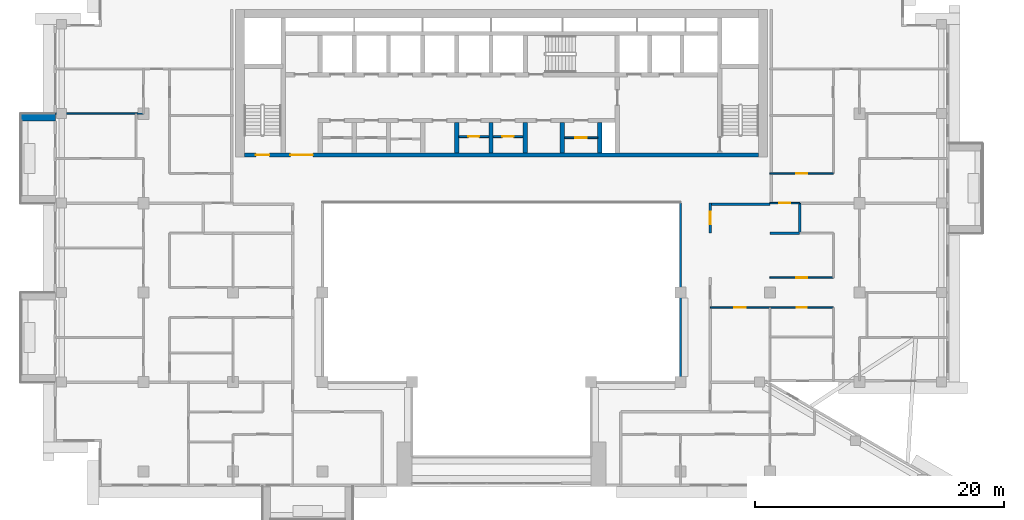
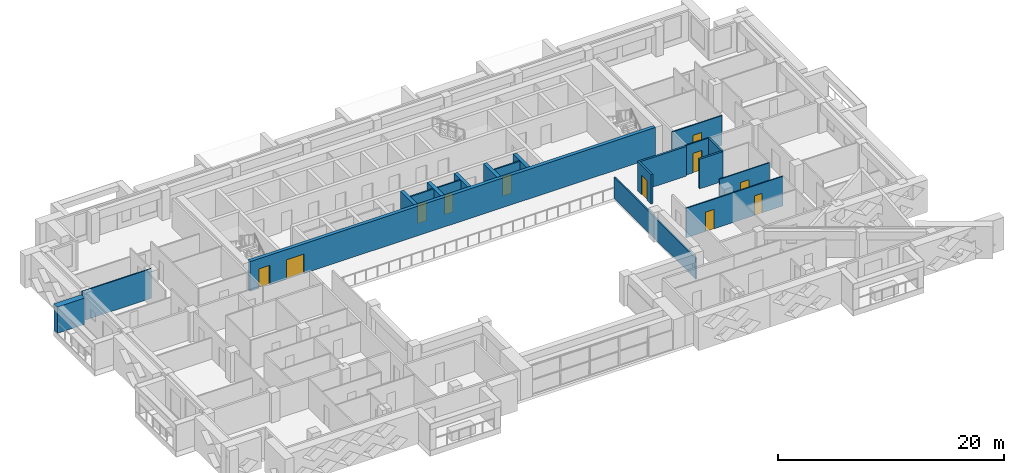
# One storey, part 9 of 20: 20 walls, 11 doors, 11 openings.
"""IFC4 building model written with IfcOpenShell, lengths in metres."""

from ifc_helpers import new_model, si_unit, direction, frame, frame_2d, origin, place, context, subcontext, project, spatial, rectangle, extrude, material, layer, layer_set, type_object, element, fill, save


model = new_model("IFC4")

# Units and contexts
model_context = context("Model", 3, precision=1e-05, world=origin(), true_north=direction((0.0, 1.0)))
body_context = subcontext(model_context, "Body", "Model", "MODEL_VIEW")
ifc_project = project(units=[si_unit("LENGTHUNIT", "METRE"), si_unit("AREAUNIT", "SQUARE_METRE"), si_unit("VOLUMEUNIT", "CUBIC_METRE"), si_unit("PLANEANGLEUNIT", "RADIAN"), si_unit("MASSUNIT", "GRAM", prefix="KILO")], contexts=[model_context])

# Site, building, storey
site_placement = place(None, origin())
site = spatial("IfcSite", under=ifc_project, at=site_placement, CompositionType="ELEMENT")
building_placement = place(site_placement, origin())
building = spatial("IfcBuilding", under=site, at=building_placement, Name="Saffron Iwan Residences", CompositionType="ELEMENT")
storey_placement = place(building_placement, frame((0.0, 0.0, 195.5)))
storey = spatial("IfcBuildingStorey", under=building, at=storey_placement, Name="L52", CompositionType="ELEMENT", Elevation=195.5)

# Walls
ifc_material_1 = material(Name="Fire-rated glazing", Category="glass")
ifc_layer_1 = layer(ifc_material_1, 0.14990234375)
ifc_layer_set_1 = layer_set([ifc_layer_1], Name="Fire-rated glazing")
wall_type_1 = type_object("IfcWallType", Name="Atrium glazed screen 150", PredefinedType="SOLIDWALL", material=ifc_layer_set_1)
wall_1_placement = place(storey_placement, frame((64.800048828125, 48.0, 0.0), z_axis=(0.0, 0.0, 1.0), x_axis=(0.0, 1.0, 0.0)))
element("IfcWall", 1, at=wall_1_placement, inside=storey, type_object=wall_type_1, Name="W-L52-SCREEN-v64.8-48", PredefinedType="SOLIDWALL", context=body_context, shape_type="SweptSolid", body=[
    extrude(rectangle(XDim=14.39990234375, YDim=0.14990234375, at=frame_2d((7.199951171875, 0.0))), origin(), (0.0, 0.0, 1.0), 2.300048828125),
])
ifc_material_2 = material(Name="Concrete C50/60 white painted", Category="concrete")
ifc_layer_2 = layer(ifc_material_2, 0.60009765625)
ifc_layer_set_2 = layer_set([ifc_layer_2], Name="Concrete C50/60 white painted")
wall_type_2 = type_object("IfcWallType", Name="BALCONY FIN 600", PredefinedType="SOLIDWALL", material=ifc_layer_set_2)
wall_2_placement = place(storey_placement, frame((14.5, 69.300048828125, 0.0), z_axis=(0.0, 0.0, 1.0), x_axis=(-1.0, 0.0, 0.0)))
element("IfcWall", 2, at=wall_2_placement, inside=storey, type_object=wall_type_2, Name="Balcony fin L52 F8-0a", PredefinedType="SOLIDWALL", context=body_context, shape_type="SweptSolid", body=[
    extrude(rectangle(XDim=2.800048828125, YDim=0.60009765625, at=frame_2d((1.39990234375, 0.0))), origin(), (0.0, 0.0, 1.0), 2.85009765625),
])

# Wall, opening, door
ifc_material_3 = material(Name="Fire-rated plasterboard partition")
ifc_layer_3 = layer(ifc_material_3, 0.14990234375)
ifc_layer_set_3 = layer_set([ifc_layer_3], Name="Fire-rated plasterboard partition")
wall_type_3 = type_object("IfcWallType", Name="Core partition 150", PredefinedType="PARTITIONING", material=ifc_layer_set_3)
wall_3_placement = place(storey_placement, frame((46.97509765625, 67.759521484375, 0.0), z_axis=(0.0, 0.0, 1.0), x_axis=(1.0, 0.0, 0.0)))
wall_3 = element("IfcWall", 3, at=wall_3_placement, inside=storey, type_object=wall_type_3, Name="Core partition P04", PredefinedType="PARTITIONING", context=body_context, shape_type="SweptSolid", body=[
    extrude(rectangle(XDim=2.39990234375, YDim=0.14990234375, at=frame_2d((1.199951171875, 0.0))), origin(), (0.0, 0.0, 1.0), 3.199951171875),
])
opening_1_placement = place(wall_3_placement, frame((0.75, 0.0, 0.0)))
opening_1 = element("IfcOpeningElement", 4, at=opening_1_placement, cuts=wall_3, Name="Opening SB", PredefinedType="OPENING", context=body_context, shape_type="SweptSolid", body=[
    extrude(rectangle(XDim=0.89990234375, YDim=2.10009765625, at=frame_2d((0.449951171875, 1.050048828125))), frame((0.0, 0.0849609375, 0.0), z_axis=(0.0, -1.0, 0.0), x_axis=(1.0, 0.0, 0.0)), (0.0, 0.0, 1.0), 0.169921875),
])
ifc_material_4 = material(Name="Steel fire door", Category="steel")
door_type_1 = type_object("IfcDoorType", Name="Store door 900", OperationType="NOTDEFINED", PredefinedType="DOOR", material=ifc_material_4)
door_1_placement = place(opening_1_placement, origin())
door_1 = element("IfcDoor", 5, at=door_1_placement, inside=storey, type_object=door_type_1, Name="Door Tool store", OperationType="SINGLE_SWING_LEFT", OverallHeight=2.10009765625, OverallWidth=0.89990234375, PredefinedType="DOOR", context=body_context, shape_type="SweptSolid", body=[
    extrude(rectangle(XDim=0.89990234375, YDim=2.10009765625, at=frame_2d((0.449951171875, 1.050048828125))), frame((0.0, 0.02490234375, 0.0), z_axis=(0.0, -1.0, 0.0), x_axis=(1.0, 0.0, 0.0)), (0.0, 0.0, 1.0), 0.050048828125),
])
fill(opening_1, door_1)

wall_4_placement = place(storey_placement, frame((49.72509765625, 67.759521484375, 0.0), z_axis=(0.0, 0.0, 1.0), x_axis=(1.0, 0.0, 0.0)))
wall_4 = element("IfcWall", 6, at=wall_4_placement, inside=storey, type_object=wall_type_3, Name="Core partition P05", PredefinedType="PARTITIONING", context=body_context, shape_type="SweptSolid", body=[
    extrude(rectangle(XDim=2.39990234375, YDim=0.14990234375, at=frame_2d((1.199951171875, 0.0))), origin(), (0.0, 0.0, 1.0), 3.199951171875),
])
opening_2_placement = place(wall_4_placement, frame((0.75, 0.0, 0.0)))
opening_2 = element("IfcOpeningElement", 7, at=opening_2_placement, cuts=wall_4, Name="Opening SB", PredefinedType="OPENING", context=body_context, shape_type="SweptSolid", body=[
    extrude(rectangle(XDim=0.89990234375, YDim=2.10009765625, at=frame_2d((0.449951171875, 1.050048828125))), frame((0.0, 0.0849609375, 0.0), z_axis=(0.0, -1.0, 0.0), x_axis=(1.0, 0.0, 0.0)), (0.0, 0.0, 1.0), 0.169921875),
])
door_2_placement = place(opening_2_placement, origin())
door_2 = element("IfcDoor", 8, at=door_2_placement, inside=storey, type_object=door_type_1, Name="Door Cabling room", OperationType="SINGLE_SWING_RIGHT", OverallHeight=2.10009765625, OverallWidth=0.89990234375, PredefinedType="DOOR", context=body_context, shape_type="SweptSolid", body=[
    extrude(rectangle(XDim=0.89990234375, YDim=2.10009765625, at=frame_2d((0.449951171875, 1.050048828125))), frame((0.0, 0.02490234375, 0.0), z_axis=(0.0, -1.0, 0.0), x_axis=(1.0, 0.0, 0.0)), (0.0, 0.0, 1.0), 0.050048828125),
])
fill(opening_2, door_2)

wall_5_placement = place(storey_placement, frame((55.47509765625, 67.66259765625, 0.0), z_axis=(0.0, 0.0, 1.0), x_axis=(1.0, 0.0, 0.0)))
wall_5 = element("IfcWall", 9, at=wall_5_placement, inside=storey, type_object=wall_type_3, Name="Core partition P06", PredefinedType="PARTITIONING", context=body_context, shape_type="SweptSolid", body=[
    extrude(rectangle(XDim=2.64990234375, YDim=0.14990234375, at=frame_2d((1.324951171875, 0.0))), origin(), (0.0, 0.0, 1.0), 3.199951171875),
])
opening_3_placement = place(wall_5_placement, frame((0.875, 0.0, 0.0)))
opening_3 = element("IfcOpeningElement", 10, at=opening_3_placement, cuts=wall_5, Name="Opening SB", PredefinedType="OPENING", context=body_context, shape_type="SweptSolid", body=[
    extrude(rectangle(XDim=0.89990234375, YDim=2.10009765625, at=frame_2d((0.449951171875, 1.050048828125))), frame((0.0, 0.0849609375, 0.0), z_axis=(0.0, -1.0, 0.0), x_axis=(1.0, 0.0, 0.0)), (0.0, 0.0, 1.0), 0.169921875),
])
door_3_placement = place(opening_3_placement, origin())
door_3 = element("IfcDoor", 11, at=door_3_placement, inside=storey, type_object=door_type_1, Name="Door Records store", OperationType="SINGLE_SWING_LEFT", OverallHeight=2.10009765625, OverallWidth=0.89990234375, PredefinedType="DOOR", context=body_context, shape_type="SweptSolid", body=[
    extrude(rectangle(XDim=0.89990234375, YDim=2.10009765625, at=frame_2d((0.449951171875, 1.050048828125))), frame((0.0, 0.02490234375, 0.0), z_axis=(0.0, -1.0, 0.0), x_axis=(1.0, 0.0, 0.0)), (0.0, 0.0, 1.0), 0.050048828125),
])
fill(opening_3, door_3)

# Walls
ifc_material_5 = material(Name="Fire-rated gypsum board wall")
ifc_layer_4 = layer(ifc_material_5, 0.199951171875)
ifc_layer_set_4 = layer_set([ifc_layer_4], Name="Fire-rated gypsum board wall")
wall_type_4 = type_object("IfcWallType", Name="Flat demising wall 200", PredefinedType="SOLIDWALL", material=ifc_layer_set_4)
for number, where, z_axis, x_axis, name in (
    (12, (72.0, 60.0, 0.0), (0.0, 0.0, 1.0), (1.0, 0.0, 0.0), "W-L52-DEMISE-h60-72"),
    (13, (74.39990234375, 60.0, 0.0), (0.0, 0.0, 1.0), (0.0, 1.0, 0.0), "W-L52-DEMISE-v74.4-60"),
):
    element("IfcWall", number, at=place(storey_placement, frame(where, z_axis=z_axis, x_axis=x_axis)), inside=storey, type_object=wall_type_4, Name=name, PredefinedType="SOLIDWALL", context=body_context, shape_type="SweptSolid", body=[
        extrude(rectangle(XDim=2.39990234375, YDim=0.199951171875, at=frame_2d((1.199951171875, 0.0))), origin(), (0.0, 0.0, 1.0), 3.199951171875),
    ])

# Wall, openings, doors
ifc_material_6 = material(Name="Gypsum board partition")
ifc_layer_5 = layer(ifc_material_6, 0.1201171875)
ifc_layer_set_5 = layer_set([ifc_layer_5], Name="Gypsum board partition")
wall_type_5 = type_object("IfcWallType", Name="Flat partition 120", PredefinedType="PARTITIONING", material=ifc_layer_set_5)
wall_6_placement = place(storey_placement, frame((67.199951171875, 54.0, 0.0), z_axis=(0.0, 0.0, 1.0), x_axis=(1.0, 0.0, 0.0)))
wall_6 = element("IfcWall", 14, at=wall_6_placement, inside=storey, type_object=wall_type_5, Name="W-L52-PART-h54-67.2", PredefinedType="PARTITIONING", context=body_context, shape_type="SweptSolid", body=[
    extrude(rectangle(XDim=9.900146484375, YDim=0.1201171875, at=frame_2d((4.9501953125, 0.0))), origin(), (0.0, 0.0, 1.0), 3.199951171875),
])
opening_4_placement = place(wall_6_placement, frame((6.949951171875, 0.0, 0.0)))
opening_4 = element("IfcOpeningElement", 15, at=opening_4_placement, cuts=wall_6, Name="Opening FD3", PredefinedType="OPENING", context=body_context, shape_type="SweptSolid", body=[
    extrude(rectangle(XDim=0.800048828125, YDim=2.10009765625, at=frame_2d((0.39990234375, 1.050048828125))), frame((0.0, 0.070068359375, 0.0), z_axis=(0.0, -1.0, 0.0), x_axis=(1.0, 0.0, 0.0)), (0.0, 0.0, 1.0), 0.14013671875),
])
opening_5_placement = place(wall_6_placement, frame((1.949951171875, 0.0, 0.0)))
opening_5 = element("IfcOpeningElement", 16, at=opening_5_placement, cuts=wall_6, Name="Opening FD2", PredefinedType="OPENING", context=body_context, shape_type="SweptSolid", body=[
    extrude(rectangle(XDim=0.89990234375, YDim=2.10009765625, at=frame_2d((0.449951171875, 1.050048828125))), frame((0.0, 0.070068359375, 0.0), z_axis=(0.0, -1.0, 0.0), x_axis=(1.0, 0.0, 0.0)), (0.0, 0.0, 1.0), 0.14013671875),
])
ifc_material_7 = material(Name="Timber door", Category="wood")
door_type_2 = type_object("IfcDoorType", Name="Bathroom door 800", OperationType="NOTDEFINED", PredefinedType="DOOR", material=ifc_material_7)
door_4_placement = place(opening_4_placement, origin())
door_4 = element("IfcDoor", 17, at=door_4_placement, inside=storey, type_object=door_type_2, Name="Door L52-021", OperationType="SINGLE_SWING_RIGHT", OverallHeight=2.10009765625, OverallWidth=0.800048828125, PredefinedType="DOOR", context=body_context, shape_type="SweptSolid", body=[
    extrude(rectangle(XDim=0.800048828125, YDim=2.10009765625, at=frame_2d((0.39990234375, 1.050048828125))), frame((0.0, 0.02490234375, 0.0), z_axis=(0.0, -1.0, 0.0), x_axis=(1.0, 0.0, 0.0)), (0.0, 0.0, 1.0), 0.050048828125),
])
fill(opening_4, door_4)
door_type_3 = type_object("IfcDoorType", Name="Flat door 900", OperationType="NOTDEFINED", PredefinedType="DOOR", material=ifc_material_7)
door_5_placement = place(opening_5_placement, origin())
door_5 = element("IfcDoor", 18, at=door_5_placement, inside=storey, type_object=door_type_3, Name="Door L52-023", OperationType="SINGLE_SWING_LEFT", OverallHeight=2.10009765625, OverallWidth=0.89990234375, PredefinedType="DOOR", context=body_context, shape_type="SweptSolid", body=[
    extrude(rectangle(XDim=0.89990234375, YDim=2.10009765625, at=frame_2d((0.449951171875, 1.050048828125))), frame((0.0, 0.02490234375, 0.0), z_axis=(0.0, -1.0, 0.0), x_axis=(1.0, 0.0, 0.0)), (0.0, 0.0, 1.0), 0.050048828125),
])
fill(opening_5, door_5)

# Wall, opening, door
wall_7_placement = place(storey_placement, frame((72.0, 56.39990234375, 0.0), z_axis=(0.0, 0.0, 1.0), x_axis=(1.0, 0.0, 0.0)))
wall_7 = element("IfcWall", 19, at=wall_7_placement, inside=storey, type_object=wall_type_5, Name="W-L52-PART-h56.4-72", PredefinedType="PARTITIONING", context=body_context, shape_type="SweptSolid", body=[
    extrude(rectangle(XDim=5.10009765625, YDim=0.1201171875, at=frame_2d((2.550048828125, 0.0))), origin(), (0.0, 0.0, 1.0), 3.199951171875),
])
opening_6_placement = place(wall_7_placement, frame((2.10009765625, 0.0, 0.0)))
opening_6 = element("IfcOpeningElement", 20, at=opening_6_placement, cuts=wall_7, Name="Opening FD2", PredefinedType="OPENING", context=body_context, shape_type="SweptSolid", body=[
    extrude(rectangle(XDim=0.89990234375, YDim=2.10009765625, at=frame_2d((0.449951171875, 1.050048828125))), frame((0.0, 0.070068359375, 0.0), z_axis=(0.0, -1.0, 0.0), x_axis=(1.0, 0.0, 0.0)), (0.0, 0.0, 1.0), 0.14013671875),
])
door_6_placement = place(opening_6_placement, origin())
door_6 = element("IfcDoor", 21, at=door_6_placement, inside=storey, type_object=door_type_3, Name="Door L52-022", OperationType="SINGLE_SWING_LEFT", OverallHeight=2.10009765625, OverallWidth=0.89990234375, PredefinedType="DOOR", context=body_context, shape_type="SweptSolid", body=[
    extrude(rectangle(XDim=0.89990234375, YDim=2.10009765625, at=frame_2d((0.449951171875, 1.050048828125))), frame((0.0, 0.02490234375, 0.0), z_axis=(0.0, -1.0, 0.0), x_axis=(1.0, 0.0, 0.0)), (0.0, 0.0, 1.0), 0.050048828125),
])
fill(opening_6, door_6)

wall_8_placement = place(storey_placement, frame((72.0, 62.39990234375, 0.0), z_axis=(0.0, 0.0, 1.0), x_axis=(1.0, 0.0, 0.0)))
wall_8 = element("IfcWall", 22, at=wall_8_placement, inside=storey, type_object=wall_type_5, Name="W-L52-PART-h62.4-72", PredefinedType="PARTITIONING", context=body_context, shape_type="SweptSolid", body=[
    extrude(rectangle(XDim=2.39990234375, YDim=0.1201171875, at=frame_2d((1.199951171875, 0.0))), origin(), (0.0, 0.0, 1.0), 3.199951171875),
])
opening_7_placement = place(wall_8_placement, frame((0.75, 0.0, 0.0)))
opening_7 = element("IfcOpeningElement", 23, at=opening_7_placement, cuts=wall_8, Name="Opening FD2", PredefinedType="OPENING", context=body_context, shape_type="SweptSolid", body=[
    extrude(rectangle(XDim=0.89990234375, YDim=2.10009765625, at=frame_2d((0.449951171875, 1.050048828125))), frame((0.0, 0.070068359375, 0.0), z_axis=(0.0, -1.0, 0.0), x_axis=(1.0, 0.0, 0.0)), (0.0, 0.0, 1.0), 0.14013671875),
])
door_7_placement = place(opening_7_placement, origin())
door_7 = element("IfcDoor", 24, at=door_7_placement, inside=storey, type_object=door_type_3, Name="Door L52-032", OperationType="SINGLE_SWING_LEFT", OverallHeight=2.10009765625, OverallWidth=0.89990234375, PredefinedType="DOOR", context=body_context, shape_type="SweptSolid", body=[
    extrude(rectangle(XDim=0.89990234375, YDim=2.10009765625, at=frame_2d((0.449951171875, 1.050048828125))), frame((0.0, 0.02490234375, 0.0), z_axis=(0.0, -1.0, 0.0), x_axis=(1.0, 0.0, 0.0)), (0.0, 0.0, 1.0), 0.050048828125),
])
fill(opening_7, door_7)

wall_9_placement = place(storey_placement, frame((72.0, 64.800048828125, 0.0), z_axis=(0.0, 0.0, 1.0), x_axis=(1.0, 0.0, 0.0)))
wall_9 = element("IfcWall", 25, at=wall_9_placement, inside=storey, type_object=wall_type_5, Name="W-L52-PART-h64.8-72", PredefinedType="PARTITIONING", context=body_context, shape_type="SweptSolid", body=[
    extrude(rectangle(XDim=5.10009765625, YDim=0.1201171875, at=frame_2d((2.550048828125, 0.0))), origin(), (0.0, 0.0, 1.0), 3.199951171875),
])
opening_8_placement = place(wall_9_placement, frame((2.10009765625, 0.0, 0.0)))
opening_8 = element("IfcOpeningElement", 26, at=opening_8_placement, cuts=wall_9, Name="Opening FD2", PredefinedType="OPENING", context=body_context, shape_type="SweptSolid", body=[
    extrude(rectangle(XDim=0.89990234375, YDim=2.10009765625, at=frame_2d((0.449951171875, 1.050048828125))), frame((0.0, 0.070068359375, 0.0), z_axis=(0.0, -1.0, 0.0), x_axis=(1.0, 0.0, 0.0)), (0.0, 0.0, 1.0), 0.14013671875),
])
door_8_placement = place(opening_8_placement, origin())
door_8 = element("IfcDoor", 27, at=door_8_placement, inside=storey, type_object=door_type_3, Name="Door L52-038", OperationType="SINGLE_SWING_LEFT", OverallHeight=2.10009765625, OverallWidth=0.89990234375, PredefinedType="DOOR", context=body_context, shape_type="SweptSolid", body=[
    extrude(rectangle(XDim=0.89990234375, YDim=2.10009765625, at=frame_2d((0.449951171875, 1.050048828125))), frame((0.0, 0.02490234375, 0.0), z_axis=(0.0, -1.0, 0.0), x_axis=(1.0, 0.0, 0.0)), (0.0, 0.0, 1.0), 0.050048828125),
])
fill(opening_8, door_8)

# Walls
wall_10_placement = place(storey_placement, frame((14.52490234375, 69.60009765625, 0.0), z_axis=(0.0, 0.0, 1.0), x_axis=(1.0, 0.0, 0.0)))
element("IfcWall", 28, at=wall_10_placement, inside=storey, type_object=wall_type_5, Name="W-L52-PART-h69.6-14.525", PredefinedType="PARTITIONING", context=body_context, shape_type="SweptSolid", body=[
    extrude(rectangle(XDim=7.0751953125, YDim=0.1201171875, at=frame_2d((3.53759765625, 0.0))), origin(), (0.0, 0.0, 1.0), 3.199951171875),
])
ifc_layer_6 = layer(ifc_material_5, 0.199951171875)
ifc_layer_set_6 = layer_set([ifc_layer_6], Name="Fire-rated gypsum board wall")
wall_type_6 = type_object("IfcWallType", Name="Gallery wall 200", PredefinedType="SOLIDWALL", material=ifc_layer_set_6)
wall_11_placement = place(storey_placement, frame((67.199951171875, 62.300048828125, 0.0), z_axis=(0.0, 0.0, 1.0), x_axis=(1.0, 0.0, 0.0)))
element("IfcWall", 29, at=wall_11_placement, inside=storey, type_object=wall_type_6, Name="W-L52-CORR-h62.4-67.2", PredefinedType="SOLIDWALL", context=body_context, shape_type="SweptSolid", body=[
    extrude(rectangle(XDim=4.800048828125, YDim=0.199951171875, at=frame_2d((2.39990234375, 0.0))), origin(), (0.0, 0.0, 1.0), 3.199951171875),
])

# Wall, opening, door
wall_12_placement = place(storey_placement, frame((67.199951171875, 60.0, 0.0), z_axis=(0.0, 0.0, 1.0), x_axis=(0.0, 1.0, 0.0)))
wall_12 = element("IfcWall", 30, at=wall_12_placement, inside=storey, type_object=wall_type_6, Name="W-L52-CORR-v67.2-60", PredefinedType="SOLIDWALL", context=body_context, shape_type="SweptSolid", body=[
    extrude(rectangle(XDim=2.39990234375, YDim=0.199951171875, at=frame_2d((1.199951171875, 0.0))), origin(), (0.0, 0.0, 1.0), 3.199951171875),
])
opening_9_placement = place(wall_12_placement, frame((0.699951171875, 0.0, 0.0)))
opening_9 = element("IfcOpeningElement", 31, at=opening_9_placement, cuts=wall_12, Name="Opening FD5", PredefinedType="OPENING", context=body_context, shape_type="SweptSolid", body=[
    extrude(rectangle(XDim=1.0, YDim=2.10009765625, at=frame_2d((0.5, 1.050048828125))), frame((0.0, 0.10986328125, 0.0), z_axis=(0.0, -1.0, 0.0), x_axis=(1.0, 0.0, 0.0)), (0.0, 0.0, 1.0), 0.219970703125),
])
ifc_material_8 = material(Name="Fire-rated timber door", Category="wood")
door_type_4 = type_object("IfcDoorType", Name="Lobby door 1000", OperationType="NOTDEFINED", PredefinedType="DOOR", material=ifc_material_8)
door_9_placement = place(opening_9_placement, origin())
door_9 = element("IfcDoor", 32, at=door_9_placement, inside=storey, type_object=door_type_4, Name="Door L52-033", OperationType="SINGLE_SWING_RIGHT", OverallHeight=2.10009765625, OverallWidth=1.0, PredefinedType="DOOR", context=body_context, shape_type="SweptSolid", body=[
    extrude(rectangle(XDim=1.0, YDim=2.10009765625, at=frame_2d((0.5, 1.050048828125))), frame((0.0, 0.02490234375, 0.0), z_axis=(0.0, -1.0, 0.0), x_axis=(1.0, 0.0, 0.0)), (0.0, 0.0, 1.0), 0.050048828125),
])
fill(opening_9, door_9)

# Wall, openings, doors
ifc_material_9 = material(Name="Concrete C50/60", Category="concrete")
ifc_layer_7 = layer(ifc_material_9, 0.35009765625)
ifc_layer_set_7 = layer_set([ifc_layer_7], Name="Concrete C50/60")
wall_type_7 = type_object("IfcWallType", Name="WALL CORE 350 C50/60 3200 HIGH", PredefinedType="SHEAR", material=ifc_layer_set_7)
wall_13_placement = place(storey_placement, frame((29.699951171875, 66.27490234375, 0.0), z_axis=(0.0, 0.0, 1.0), x_axis=(1.0, 0.0, 0.0)))
wall_13 = element("IfcWall", 33, at=wall_13_placement, inside=storey, type_object=wall_type_7, Name="Core wall", PredefinedType="SHEAR", context=body_context, shape_type="SweptSolid", body=[
    extrude(rectangle(XDim=41.400146484375, YDim=0.35009765625, at=frame_2d((20.7001953125, 0.0))), origin(), (0.0, 0.0, 1.0), 3.199951171875),
])
opening_10_placement = place(wall_13_placement, frame((0.925048828125, 0.0, 0.0)))
opening_10 = element("IfcOpeningElement", 34, at=opening_10_placement, cuts=wall_13, Name="Opening SD", PredefinedType="OPENING", context=body_context, shape_type="SweptSolid", body=[
    extrude(rectangle(XDim=1.10009765625, YDim=2.10009765625, at=frame_2d((0.550048828125, 1.050048828125))), frame((0.0, 0.18505859375, 0.0), z_axis=(0.0, -1.0, 0.0), x_axis=(1.0, 0.0, 0.0)), (0.0, 0.0, 1.0), 0.3701171875),
])
opening_11_placement = place(wall_13_placement, frame((3.71240234375, 0.0, 0.0)))
opening_11 = element("IfcOpeningElement", 35, at=opening_11_placement, cuts=wall_13, Name="Opening DD", PredefinedType="OPENING", context=body_context, shape_type="SweptSolid", body=[
    extrude(rectangle(XDim=1.800048828125, YDim=2.10009765625, at=frame_2d((0.89990234375, 1.050048828125))), frame((0.0, 0.18505859375, 0.0), z_axis=(0.0, -1.0, 0.0), x_axis=(1.0, 0.0, 0.0)), (0.0, 0.0, 1.0), 0.3701171875),
])
door_type_5 = type_object("IfcDoorType", Name="Lobby double door 1800", OperationType="DOUBLE_DOOR_SINGLE_SWING", PredefinedType="DOOR", material=ifc_material_4)
door_10_placement = place(opening_11_placement, origin())
door_10 = element("IfcDoor", 36, at=door_10_placement, inside=storey, type_object=door_type_5, Name="Lobby doors", OperationType="DOUBLE_DOOR_SINGLE_SWING", OverallHeight=2.10009765625, OverallWidth=1.800048828125, PredefinedType="DOOR", context=body_context, shape_type="SweptSolid", body=[
    extrude(rectangle(XDim=1.800048828125, YDim=2.10009765625, at=frame_2d((0.89990234375, 1.050048828125))), frame((0.0, 0.02490234375, 0.0), z_axis=(0.0, -1.0, 0.0), x_axis=(1.0, 0.0, 0.0)), (0.0, 0.0, 1.0), 0.050048828125),
])
fill(opening_11, door_10)
door_type_6 = type_object("IfcDoorType", Name="Stair door 1100", OperationType="NOTDEFINED", PredefinedType="DOOR", material=ifc_material_4)
door_11_placement = place(opening_10_placement, origin())
door_11 = element("IfcDoor", 37, at=door_11_placement, inside=storey, type_object=door_type_6, Name="Stair door ST-W", OperationType="SINGLE_SWING_LEFT", OverallHeight=2.10009765625, OverallWidth=1.10009765625, PredefinedType="DOOR", context=body_context, shape_type="SweptSolid", body=[
    extrude(rectangle(XDim=1.10009765625, YDim=2.10009765625, at=frame_2d((0.550048828125, 1.050048828125))), frame((0.0, 0.02490234375, 0.0), z_axis=(0.0, -1.0, 0.0), x_axis=(1.0, 0.0, 0.0)), (0.0, 0.0, 1.0), 0.050048828125),
])
fill(opening_10, door_11)

# Walls
for number, where, z_axis, x_axis, name in (
    (38, (46.800048828125, 66.449951171875, 0.0), (0.0, 0.0, 1.0), (0.0, 1.0, 0.0), "Core wall"),
    (39, (49.550048828125, 66.449951171875, 0.0), (0.0, 0.0, 1.0), (0.0, 1.0, 0.0), "Core wall"),
    (40, (52.300048828125, 66.449951171875, 0.0), (0.0, 0.0, 1.0), (0.0, 1.0, 0.0), "Core wall"),
    (41, (55.300048828125, 66.449951171875, 0.0), (0.0, 0.0, 1.0), (0.0, 1.0, 0.0), "Core wall"),
    (42, (58.300048828125, 66.449951171875, 0.0), (0.0, 0.0, 1.0), (0.0, 1.0, 0.0), "Core wall"),
):
    element("IfcWall", number, at=place(storey_placement, frame(where, z_axis=z_axis, x_axis=x_axis)), inside=storey, type_object=wall_type_7, Name=name, PredefinedType="SHEAR", context=body_context, shape_type="SweptSolid", body=[
        extrude(rectangle(XDim=2.425048828125, YDim=0.35009765625, at=frame_2d((1.21240234375, 0.0))), origin(), (0.0, 0.0, 1.0), 3.199951171875),
    ])

save(model, "model.ifc")
